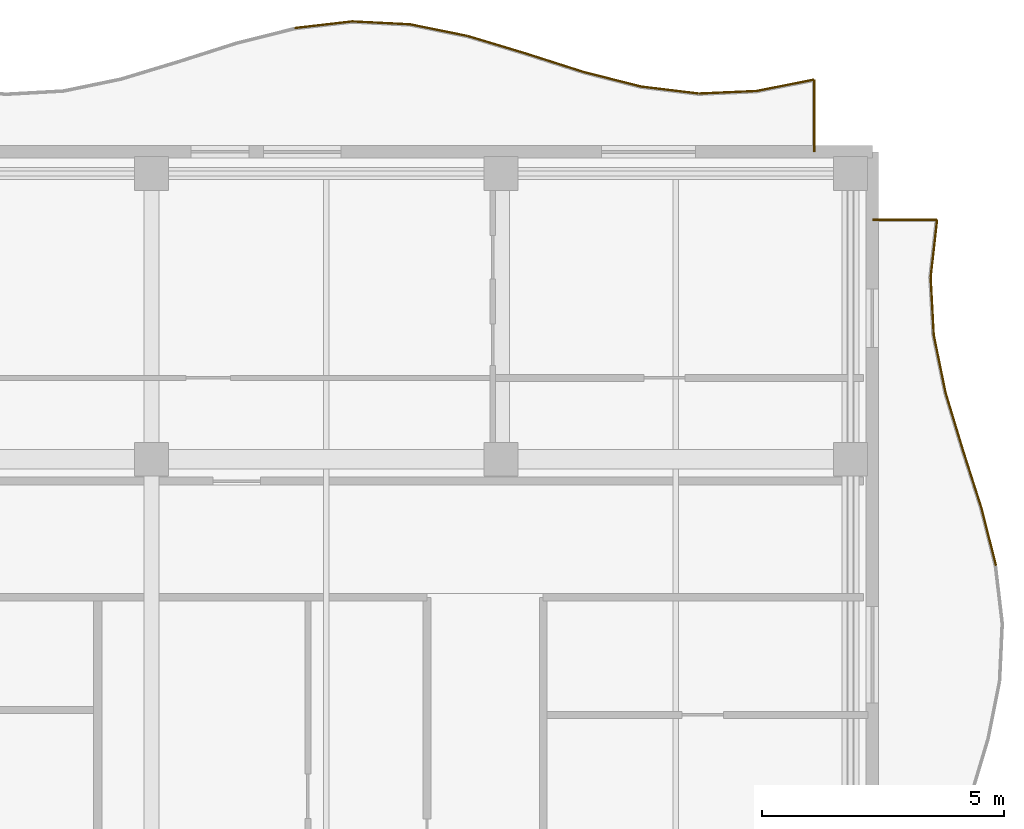
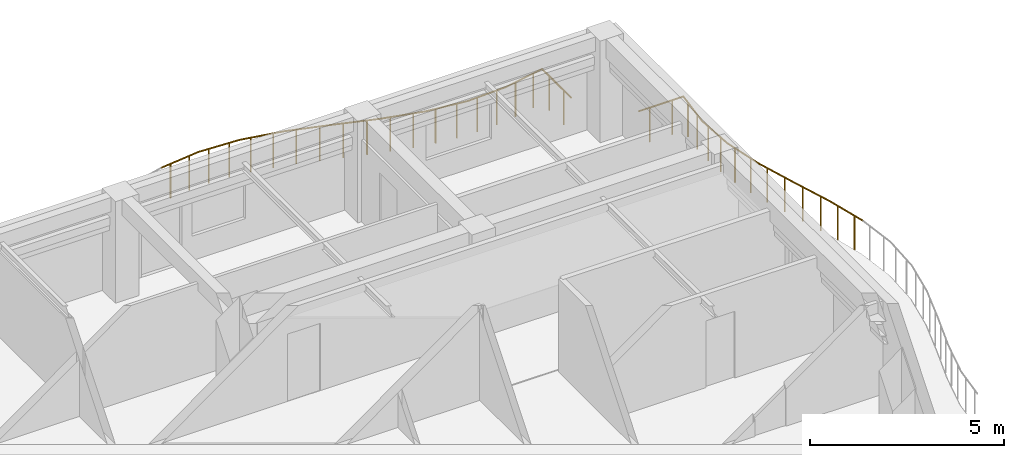
# One storey, part 128 of 128: 17 railings.
"""IFC4 building model written with IfcOpenShell, lengths in metres."""

from ifc_helpers import new_model, si_unit, direction, frame, origin, origin_2d, place, context, subcontext, project, spatial, circle, extrude, material, type_object, element, save


model = new_model("IFC4")

# Units and contexts
model_context = context("Model", 3, precision=1e-05, world=origin(), true_north=direction((0.0, 1.0)))
body_context = subcontext(model_context, "Body", "Model", "MODEL_VIEW")
ifc_project = project(units=[si_unit("LENGTHUNIT", "METRE"), si_unit("AREAUNIT", "SQUARE_METRE"), si_unit("VOLUMEUNIT", "CUBIC_METRE"), si_unit("PLANEANGLEUNIT", "RADIAN"), si_unit("MASSUNIT", "GRAM", prefix="KILO")], contexts=[model_context])

# Site, building, storey
site_placement = place(None, origin())
site = spatial("IfcSite", under=ifc_project, at=site_placement, CompositionType="ELEMENT")
building_placement = place(site_placement, origin())
building = spatial("IfcBuilding", under=site, at=building_placement, Name="Keldmere Railside Commons", CompositionType="ELEMENT")
storey_placement = place(building_placement, frame((0.0, 0.0, 4.159912109375)))
storey = spatial("IfcBuildingStorey", under=building, at=storey_placement, Name="L01", CompositionType="ELEMENT", Elevation=4.159912109375)

# Railings
ifc_material = material(Name="Steel F-24 (S235)", Category="steel")
railing_type = type_object("IfcRailingType", Name="Balcony & Terrace Steel Balustrade 1100", PredefinedType="BALUSTRADE", material=ifc_material)
railing_1_placement = place(storey_placement, frame((172.06201171875, 118.55810546875, 0.0)))
element("IfcRailing", 1, at=railing_1_placement, inside=storey, type_object=railing_type, Name="GR-1 GRD-L01-3177", PredefinedType="BALUSTRADE", context=body_context, shape_type="SweptSolid", body=[
    extrude(circle(Radius=0.02392578125, at=origin_2d()), frame((0.0, 0.0, 1.076171875), z_axis=(0.993406264831, 0.114647254628, 0.0), x_axis=(-0.114647254628, 0.993406264831, 0.0)), (0.0, 0.0, 1.0), 1.200927734375),
    extrude(circle(Radius=0.02099609375, at=origin_2d()), frame((0.29833984375, 0.034423828125, 0.0)), (0.0, 0.0, 1.0), 1.048095703125),
    extrude(circle(Radius=0.02099609375, at=origin_2d()), frame((0.894775390625, 0.103271484375, 0.0)), (0.0, 0.0, 1.0), 1.048095703125),
])
railing_2_placement = place(storey_placement, frame((173.255126953125, 118.69580078125, 0.0)))
element("IfcRailing", 2, at=railing_2_placement, inside=storey, type_object=railing_type, Name="GR-1 GRD-L01-3178", PredefinedType="BALUSTRADE", context=body_context, shape_type="SweptSolid", body=[
    extrude(circle(Radius=0.02392578125, at=origin_2d()), frame((0.0, 0.0, 1.076171875), z_axis=(0.998745704696, -0.05007012434, 0.0), x_axis=(0.05007012434, 0.998745704696, 0.0)), (0.0, 0.0, 1.0), 1.194580078125),
    extrude(circle(Radius=0.02099609375, at=origin_2d()), frame((0.29833984375, -0.014892578125, 0.0)), (0.0, 0.0, 1.0), 1.048095703125),
    extrude(circle(Radius=0.02099609375, at=origin_2d()), frame((0.894775390625, -0.044921875, 0.0)), (0.0, 0.0, 1.0), 1.048095703125),
])
railing_3_placement = place(storey_placement, frame((174.4482421875, 118.635986328125, 0.0)))
element("IfcRailing", 3, at=railing_3_placement, inside=storey, type_object=railing_type, Name="GR-1 GRD-L01-3179", PredefinedType="BALUSTRADE", context=body_context, shape_type="SweptSolid", body=[
    extrude(circle(Radius=0.02392578125, at=origin_2d()), frame((0.0, 0.0, 1.076171875), z_axis=(0.980130723708, -0.198352626509, 0.0), x_axis=(0.198352626509, 0.980130723708, 0.0)), (0.0, 0.0, 1.0), 1.21728515625),
    extrude(circle(Radius=0.02099609375, at=origin_2d()), frame((0.29833984375, -0.060302734375, 0.0)), (0.0, 0.0, 1.0), 1.048095703125),
    extrude(circle(Radius=0.02099609375, at=origin_2d()), frame((0.894775390625, -0.18115234375, 0.0)), (0.0, 0.0, 1.0), 1.048095703125),
])
railing_4_placement = place(storey_placement, frame((175.641357421875, 118.39453125, 0.0)))
element("IfcRailing", 4, at=railing_4_placement, inside=storey, type_object=railing_type, Name="GR-1 GRD-L01-3180", PredefinedType="BALUSTRADE", context=body_context, shape_type="SweptSolid", body=[
    extrude(circle(Radius=0.02392578125, at=origin_2d()), frame((0.0, 0.0, 1.076171875), z_axis=(0.95750753732, -0.288408245332, 0.0), x_axis=(0.288408245332, 0.95750753732, 0.0)), (0.0, 0.0, 1.0), 1.24609375),
    extrude(circle(Radius=0.02099609375, at=origin_2d()), frame((0.29833984375, -0.08984375, 0.0)), (0.0, 0.0, 1.0), 1.048095703125),
    extrude(circle(Radius=0.02099609375, at=origin_2d()), frame((0.894775390625, -0.26953125, 0.0)), (0.0, 0.0, 1.0), 1.048095703125),
])
railing_5_placement = place(storey_placement, frame((176.83447265625, 118.03515625, 0.0)))
element("IfcRailing", 5, at=railing_5_placement, inside=storey, type_object=railing_type, Name="GR-1 GRD-L01-3181", PredefinedType="BALUSTRADE", context=body_context, shape_type="SweptSolid", body=[
    extrude(circle(Radius=0.02392578125, at=origin_2d()), frame((0.0, 0.0, 1.076171875), z_axis=(0.952415095402, -0.304804012525, 0.0), x_axis=(0.304804012525, 0.952415095402, 0.0)), (0.0, 0.0, 1.0), 1.252685546875),
    extrude(circle(Radius=0.02099609375, at=origin_2d()), frame((0.29833984375, -0.095458984375, 0.0)), (0.0, 0.0, 1.0), 1.048095703125),
    extrude(circle(Radius=0.02099609375, at=origin_2d()), frame((0.894775390625, -0.286376953125, 0.0)), (0.0, 0.0, 1.0), 1.048095703125),
])
railing_6_placement = place(storey_placement, frame((178.027587890625, 117.6533203125, 0.0)))
element("IfcRailing", 6, at=railing_6_placement, inside=storey, type_object=railing_type, Name="GR-1 GRD-L01-3182", PredefinedType="BALUSTRADE", context=body_context, shape_type="SweptSolid", body=[
    extrude(circle(Radius=0.02392578125, at=origin_2d()), frame((0.0, 0.0, 1.076171875), z_axis=(0.969190200207, -0.246313531544, 0.0), x_axis=(0.246313531544, 0.969190200207, 0.0)), (0.0, 0.0, 1.0), 1.23095703125),
    extrude(circle(Radius=0.02099609375, at=origin_2d()), frame((0.29833984375, -0.07568359375, 0.0)), (0.0, 0.0, 1.0), 1.048095703125),
    extrude(circle(Radius=0.02099609375, at=origin_2d()), frame((0.894775390625, -0.2275390625, 0.0)), (0.0, 0.0, 1.0), 1.048095703125),
])
railing_7_placement = place(storey_placement, frame((179.220703125, 117.35009765625, 0.0)))
element("IfcRailing", 7, at=railing_7_placement, inside=storey, type_object=railing_type, Name="GR-1 GRD-L01-3183", PredefinedType="BALUSTRADE", context=body_context, shape_type="SweptSolid", body=[
    extrude(circle(Radius=0.02392578125, at=origin_2d()), frame((0.0, 0.0, 1.076171875), z_axis=(0.992766835896, -0.120058358914, 0.0), x_axis=(0.120058358914, 0.992766835896, 0.0)), (0.0, 0.0, 1.0), 1.201904296875),
    extrude(circle(Radius=0.02099609375, at=origin_2d()), frame((0.29833984375, -0.0361328125, 0.0)), (0.0, 0.0, 1.0), 1.048095703125),
    extrude(circle(Radius=0.02099609375, at=origin_2d()), frame((0.894775390625, -0.108154296875, 0.0)), (0.0, 0.0, 1.0), 1.048095703125),
])
railing_8_placement = place(storey_placement, frame((180.413818359375, 117.205810546875, 0.0)))
element("IfcRailing", 8, at=railing_8_placement, inside=storey, type_object=railing_type, Name="GR-1 GRD-L01-3184", PredefinedType="BALUSTRADE", context=body_context, shape_type="SweptSolid", body=[
    extrude(circle(Radius=0.02392578125, at=origin_2d()), frame((0.0, 0.0, 1.076171875), z_axis=(0.999024657636, 0.044155785973, 0.0), x_axis=(-0.044155785973, 0.999024657636, 0.0)), (0.0, 0.0, 1.0), 1.1943359375),
    extrude(circle(Radius=0.02099609375, at=origin_2d()), frame((0.29833984375, 0.01318359375, 0.0)), (0.0, 0.0, 1.0), 1.048095703125),
    extrude(circle(Radius=0.02099609375, at=origin_2d()), frame((0.894775390625, 0.03955078125, 0.0)), (0.0, 0.0, 1.0), 1.048095703125),
])
railing_9_placement = place(storey_placement, frame((181.60693359375, 117.258544921875, 0.0)))
element("IfcRailing", 9, at=railing_9_placement, inside=storey, type_object=railing_type, Name="GR-1 GRD-L01-3185", PredefinedType="BALUSTRADE", context=body_context, shape_type="SweptSolid", body=[
    extrude(circle(Radius=0.02392578125, at=origin_2d()), frame((0.0, 0.0, 1.076171875), z_axis=(0.980980086259, 0.194108398488, 0.0), x_axis=(-0.194108398488, 0.980980086259, 0.0)), (0.0, 0.0, 1.0), 1.21630859375),
    extrude(circle(Radius=0.02099609375, at=origin_2d()), frame((0.29833984375, 0.05908203125, 0.0)), (0.0, 0.0, 1.0), 1.048095703125),
    extrude(circle(Radius=0.02099609375, at=origin_2d()), frame((0.894775390625, 0.177001953125, 0.0)), (0.0, 0.0, 1.0), 1.048095703125),
])
railing_10_placement = place(storey_placement, frame((182.800048828125, 117.49462890625, 0.0)))
element("IfcRailing", 10, at=railing_10_placement, inside=storey, type_object=railing_type, Name="GR-1 GRD-L01-3186", PredefinedType="BALUSTRADE", context=body_context, shape_type="SweptSolid", body=[
    extrude(circle(Radius=0.02392578125, at=origin_2d()), frame((0.0, 0.0, 1.076171875), z_axis=(0.0, -1.0, 0.0), x_axis=(1.0, 0.0, 0.0)), (0.0, 0.0, 1.0), 1.49462890625),
    extrude(circle(Radius=0.02099609375, at=origin_2d()), frame((0.0, -0.37353515625, 0.0)), (0.0, 0.0, 1.0), 1.048095703125),
    extrude(circle(Radius=0.02099609375, at=origin_2d()), frame((0.0, -1.12109375, 0.0)), (0.0, 0.0, 1.0), 1.048095703125),
])
railing_11_placement = place(storey_placement, frame((186.553955078125, 107.449951171875, 0.0)))
element("IfcRailing", 11, at=railing_11_placement, inside=storey, type_object=railing_type, Name="GR-1 GRD-L01-3256", PredefinedType="BALUSTRADE", context=body_context, shape_type="SweptSolid", body=[
    extrude(circle(Radius=0.02392578125, at=origin_2d()), frame((0.0, 0.0, 1.076171875), z_axis=(-0.244918528274, 0.969543663023, 0.0), x_axis=(-0.969543663023, -0.244918528274, 0.0)), (0.0, 0.0, 1.0), 1.22900390625),
    extrude(circle(Radius=0.02099609375, at=origin_2d()), frame((-0.0751953125, 0.2978515625, 0.0)), (0.0, 0.0, 1.0), 1.048095703125),
    extrude(circle(Radius=0.02099609375, at=origin_2d()), frame((-0.225830078125, 0.893798828125, 0.0)), (0.0, 0.0, 1.0), 1.048095703125),
])
railing_12_placement = place(storey_placement, frame((186.2529296875, 108.6416015625, 0.0)))
element("IfcRailing", 12, at=railing_12_placement, inside=storey, type_object=railing_type, Name="GR-1 GRD-L01-3257", PredefinedType="BALUSTRADE", context=body_context, shape_type="SweptSolid", body=[
    extrude(circle(Radius=0.02392578125, at=origin_2d()), frame((0.0, 0.0, 1.076171875), z_axis=(-0.304435821773, 0.952532850048, 0.0), x_axis=(-0.952532850048, -0.304435821773, 0.0)), (0.0, 0.0, 1.0), 1.2509765625),
    extrude(circle(Radius=0.02099609375, at=origin_2d()), frame((-0.09521484375, 0.2978515625, 0.0)), (0.0, 0.0, 1.0), 1.048095703125),
    extrude(circle(Radius=0.02099609375, at=origin_2d()), frame((-0.28564453125, 0.893798828125, 0.0)), (0.0, 0.0, 1.0), 1.048095703125),
])
railing_13_placement = place(storey_placement, frame((185.8720703125, 109.833251953125, 0.0)))
element("IfcRailing", 13, at=railing_13_placement, inside=storey, type_object=railing_type, Name="GR-1 GRD-L01-3258", PredefinedType="BALUSTRADE", context=body_context, shape_type="SweptSolid", body=[
    extrude(circle(Radius=0.02392578125, at=origin_2d()), frame((0.0, 0.0, 1.076171875), z_axis=(-0.289452180661, 0.957192475478, 0.0), x_axis=(-0.957192475478, -0.289452180661, 0.0)), (0.0, 0.0, 1.0), 1.244873046875),
    extrude(circle(Radius=0.02099609375, at=origin_2d()), frame((-0.090087890625, 0.2978515625, 0.0)), (0.0, 0.0, 1.0), 1.048095703125),
    extrude(circle(Radius=0.02099609375, at=origin_2d()), frame((-0.270263671875, 0.893798828125, 0.0)), (0.0, 0.0, 1.0), 1.048095703125),
])
railing_14_placement = place(storey_placement, frame((185.51171875, 111.02490234375, 0.0)))
element("IfcRailing", 14, at=railing_14_placement, inside=storey, type_object=railing_type, Name="GR-1 GRD-L01-3259", PredefinedType="BALUSTRADE", context=body_context, shape_type="SweptSolid", body=[
    extrude(circle(Radius=0.02392578125, at=origin_2d()), frame((0.0, 0.0, 1.076171875), z_axis=(-0.200860207791, 0.979619914521, 0.0), x_axis=(-0.979619914521, -0.200860207791, 0.0)), (0.0, 0.0, 1.0), 1.216796875),
    extrude(circle(Radius=0.02099609375, at=origin_2d()), frame((-0.06103515625, 0.2978515625, 0.0)), (0.0, 0.0, 1.0), 1.048095703125),
    extrude(circle(Radius=0.02099609375, at=origin_2d()), frame((-0.183349609375, 0.89404296875, 0.0)), (0.0, 0.0, 1.0), 1.048095703125),
])
railing_15_placement = place(storey_placement, frame((185.267333984375, 112.216796875, 0.0)))
element("IfcRailing", 15, at=railing_15_placement, inside=storey, type_object=railing_type, Name="GR-1 GRD-L01-3260", PredefinedType="BALUSTRADE", context=body_context, shape_type="SweptSolid", body=[
    extrude(circle(Radius=0.02392578125, at=origin_2d()), frame((0.0, 0.0, 1.076171875), z_axis=(-0.053815345869, 0.998550904335, 0.0), x_axis=(-0.998550904335, -0.053815345869, 0.0)), (0.0, 0.0, 1.0), 1.193115234375),
    extrude(circle(Radius=0.02099609375, at=origin_2d()), frame((-0.01611328125, 0.2978515625, 0.0)), (0.0, 0.0, 1.0), 1.048095703125),
    extrude(circle(Radius=0.02099609375, at=origin_2d()), frame((-0.048095703125, 0.8935546875, 0.0)), (0.0, 0.0, 1.0), 1.048095703125),
])
railing_16_placement = place(storey_placement, frame((185.203125, 113.408203125, 0.0)))
element("IfcRailing", 16, at=railing_16_placement, inside=storey, type_object=railing_type, Name="GR-1 GRD-L01-3261", PredefinedType="BALUSTRADE", context=body_context, shape_type="SweptSolid", body=[
    extrude(circle(Radius=0.02392578125, at=origin_2d()), frame((0.0, 0.0, 1.076171875), z_axis=(0.111347500658, 0.993781532379, 0.0), x_axis=(-0.993781532379, 0.111347500658, 0.0)), (0.0, 0.0, 1.0), 1.199462890625),
    extrude(circle(Radius=0.02099609375, at=origin_2d()), frame((0.033447265625, 0.2978515625, 0.0)), (0.0, 0.0, 1.0), 1.048095703125),
    extrude(circle(Radius=0.02099609375, at=origin_2d()), frame((0.10009765625, 0.89404296875, 0.0)), (0.0, 0.0, 1.0), 1.048095703125),
])
railing_17_placement = place(storey_placement, frame((185.336669921875, 114.60009765625, 0.0)))
element("IfcRailing", 17, at=railing_17_placement, inside=storey, type_object=railing_type, Name="GR-1 GRD-L01-3262", PredefinedType="BALUSTRADE", context=body_context, shape_type="SweptSolid", body=[
    extrude(circle(Radius=0.02392578125, at=origin_2d()), frame((0.0, 0.0, 1.076171875), z_axis=(-1.0, 0.0, 0.0), x_axis=(0.0, -1.0, 0.0)), (0.0, 0.0, 1.0), 1.336669921875),
    extrude(circle(Radius=0.02099609375, at=origin_2d()), frame((-0.334228515625, 0.0, 0.0)), (0.0, 0.0, 1.0), 1.048095703125),
    extrude(circle(Radius=0.02099609375, at=origin_2d()), frame((-1.00244140625, 0.0, 0.0)), (0.0, 0.0, 1.0), 1.048095703125),
])

save(model, "model.ifc")
